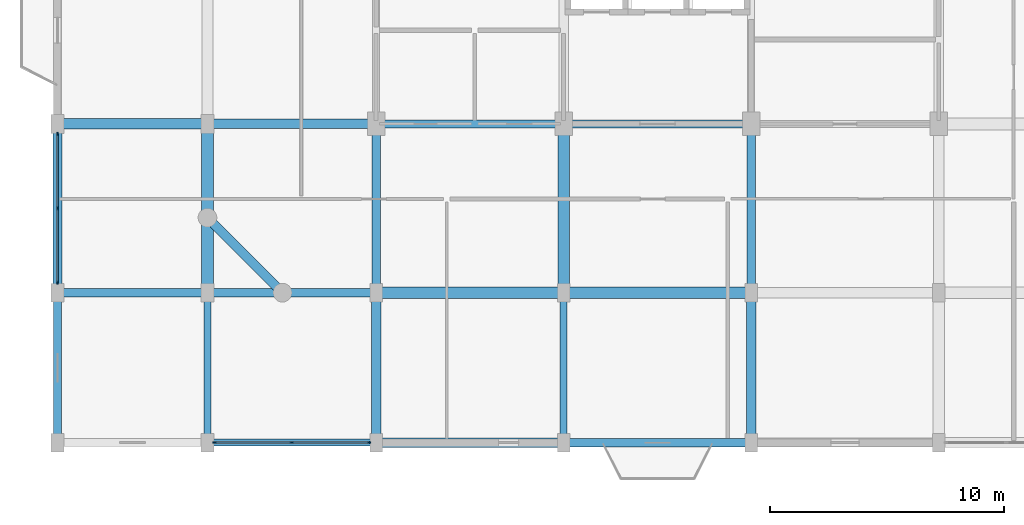
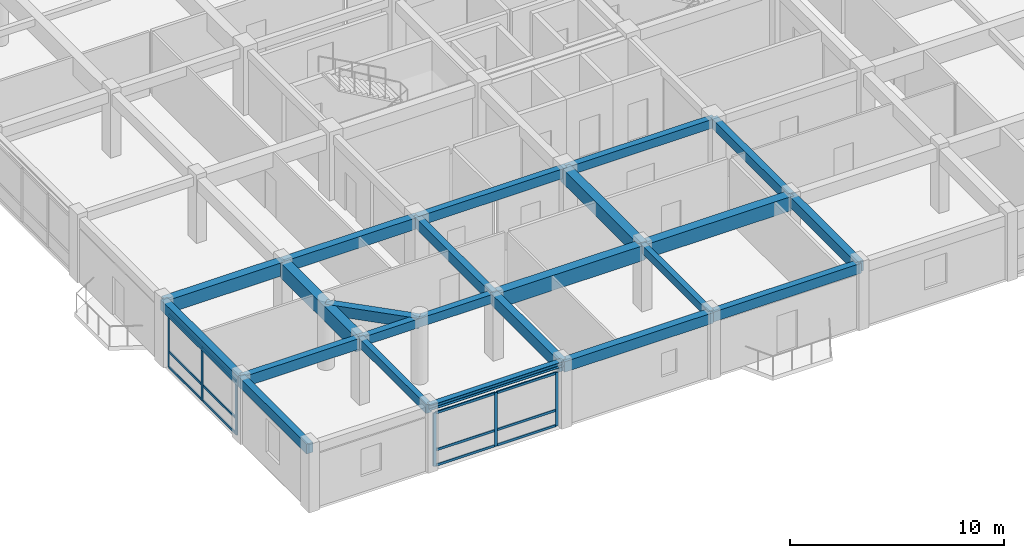
# One storey, part 2 of 15: 22 beams, 18 members, 2 elements without a shape of their own.
"""IFC4 building model written with IfcOpenShell, lengths in metres."""

from ifc_helpers import new_model, si_unit, direction, frame, origin, origin_2d, place, context, subcontext, project, spatial, rectangle, i_section, extrude, material, material_profile, profile_set, type_object, element, aggregate, save


model = new_model("IFC4")

# Units and contexts
model_context = context("Model", 3, precision=1e-05, world=origin(), true_north=direction((0.0, 1.0)))
body_context = subcontext(model_context, "Body", "Model", "MODEL_VIEW")
ifc_project = project(units=[si_unit("LENGTHUNIT", "METRE"), si_unit("AREAUNIT", "SQUARE_METRE"), si_unit("VOLUMEUNIT", "CUBIC_METRE"), si_unit("PLANEANGLEUNIT", "RADIAN"), si_unit("MASSUNIT", "GRAM", prefix="KILO")], contexts=[model_context])

# Site, building, storey
site_placement = place(None, origin())
site = spatial("IfcSite", under=ifc_project, at=site_placement, CompositionType="ELEMENT")
building_placement = place(site_placement, origin())
building = spatial("IfcBuilding", under=site, at=building_placement, Name="Vellmiral Cinema and Media Centre", CompositionType="ELEMENT")
storey_placement = place(building_placement, frame((0.0, 0.0, 31.699951171875)))
storey = spatial("IfcBuildingStorey", under=building, at=storey_placement, Name="L07", CompositionType="ELEMENT", Elevation=31.699951171875)

# Beams
ifc_material_1 = material(Name="Concrete C40/50", Category="concrete")
ifc_material_profile_1 = material_profile(ifc_material_1, rectangle(XDim=0.300048828125, YDim=0.449951171875, at=origin_2d()), Name="RC 300x450")
ifc_profile_set_1 = profile_set([ifc_material_profile_1], Name="Concrete C40/50")
beam_type_1 = type_object("IfcBeamType", Name="BM-RC-300x450", PredefinedType="BEAM", material=ifc_profile_set_1)
beam_1_placement = place(storey_placement, frame((132.0, 65.60009765625, 3.41015625), z_axis=(0.0, 1.0, 0.0), x_axis=(-1.0, 0.0, 0.0)))
element("IfcBeam", 1, at=beam_1_placement, inside=storey, type_object=beam_type_1, Name="Grid Beam L07-Y067", PredefinedType="BEAM", context=body_context, shape_type="SweptSolid", body=[
    extrude(rectangle(XDim=0.300048828125, YDim=0.449951171875, at=origin_2d()), origin(), (0.0, 0.0, 1.0), 6.39990234375),
])
ifc_material_2 = material(Name="Concrete C40/50", Category="concrete")
ifc_material_profile_2 = material_profile(ifc_material_2, rectangle(XDim=0.300048828125, YDim=0.5, at=origin_2d()), Name="RC 300x500")
ifc_profile_set_2 = profile_set([ifc_material_profile_2], Name="Concrete C40/50")
beam_type_2 = type_object("IfcBeamType", Name="BM-RC-300x500", PredefinedType="BEAM", material=ifc_profile_set_2)
beam_2_placement = place(storey_placement, frame((116.800048828125, 65.60009765625, 3.385009765625), z_axis=(0.0, 1.0, 0.0), x_axis=(-1.0, 0.0, 0.0)))
element("IfcBeam", 2, at=beam_2_placement, inside=storey, type_object=beam_type_2, Name="Grid Beam L07-Y055", PredefinedType="BEAM", context=body_context, shape_type="SweptSolid", body=[
    extrude(rectangle(XDim=0.300048828125, YDim=0.5, at=origin_2d()), origin(), (0.0, 0.0, 1.0), 6.39990234375),
])
ifc_material_3 = material(Name="Concrete C40/50", Category="concrete")
ifc_material_profile_3 = material_profile(ifc_material_3, rectangle(XDim=0.35009765625, YDim=0.5, at=origin_2d()), Name="RC 350x500")
ifc_profile_set_3 = profile_set([ifc_material_profile_3], Name="Concrete C40/50")
beam_type_3 = type_object("IfcBeamType", Name="BM-RC-350x500", PredefinedType="BEAM", material=ifc_profile_set_3)
beam_3_placement = place(storey_placement, frame((116.800048828125, 72.0, 3.385009765625), z_axis=(1.0, 0.0, 0.0), x_axis=(0.0, 1.0, 0.0)))
element("IfcBeam", 3, at=beam_3_placement, inside=storey, type_object=beam_type_3, Name="Grid Beam L07-X009", PredefinedType="BEAM", context=body_context, shape_type="SweptSolid", body=[
    extrude(rectangle(XDim=0.35009765625, YDim=0.5, at=origin_2d()), origin(), (0.0, 0.0, 1.0), 7.199951171875),
])
beam_4_placement = place(storey_placement, frame((132.0, 79.199951171875, 3.385009765625), z_axis=(1.0, 0.0, 0.0), x_axis=(0.0, 1.0, 0.0)))
element("IfcBeam", 4, at=beam_4_placement, inside=storey, type_object=beam_type_3, Name="Grid Beam L07-X018", PredefinedType="BEAM", context=body_context, shape_type="SweptSolid", body=[
    extrude(rectangle(XDim=0.35009765625, YDim=0.5, at=origin_2d()), origin(), (0.0, 0.0, 1.0), 8.0),
])
ifc_material_4 = material(Name="Concrete C40/50", Category="concrete")
ifc_material_profile_4 = material_profile(ifc_material_4, rectangle(XDim=0.35009765625, YDim=0.550048828125, at=origin_2d()), Name="RC 350x550")
ifc_profile_set_4 = profile_set([ifc_material_profile_4], Name="Concrete C40/50")
beam_type_4 = type_object("IfcBeamType", Name="BM-RC-350x550", PredefinedType="BEAM", material=ifc_profile_set_4)
beam_5_placement = place(storey_placement, frame((124.0, 79.199951171875, 3.360107421875), z_axis=(1.0, 0.0, 0.0), x_axis=(0.0, 1.0, 0.0)))
element("IfcBeam", 5, at=beam_5_placement, inside=storey, type_object=beam_type_4, Name="Grid Beam L07-X017", PredefinedType="BEAM", context=body_context, shape_type="SweptSolid", body=[
    extrude(rectangle(XDim=0.35009765625, YDim=0.550048828125, at=origin_2d()), origin(), (0.0, 0.0, 1.0), 8.0),
])
beam_6_placement = place(storey_placement, frame((140.0, 72.0, 3.360107421875), z_axis=(0.0, 1.0, 0.0), x_axis=(-1.0, 0.0, 0.0)))
element("IfcBeam", 6, at=beam_6_placement, inside=storey, type_object=beam_type_4, Name="Grid Beam L07-Y074", PredefinedType="BEAM", context=body_context, shape_type="SweptSolid", body=[
    extrude(rectangle(XDim=0.35009765625, YDim=0.550048828125, at=origin_2d()), origin(), (0.0, 0.0, 1.0), 7.199951171875),
])
ifc_material_5 = material(Name="Concrete C40/50", Category="concrete")
ifc_material_profile_5 = material_profile(ifc_material_5, rectangle(XDim=0.35009765625, YDim=0.60009765625, at=origin_2d()), Name="RC 350x600")
ifc_profile_set_5 = profile_set([ifc_material_profile_5], Name="Concrete C40/50")
beam_type_5 = type_object("IfcBeamType", Name="BM-RC-350x600", PredefinedType="BEAM", material=ifc_profile_set_5)
beam_7_placement = place(storey_placement, frame((110.39990234375, 72.0, 3.3349609375), z_axis=(1.0, 0.0, 0.0), x_axis=(0.0, 1.0, 0.0)))
element("IfcBeam", 7, at=beam_7_placement, inside=storey, type_object=beam_type_5, Name="Grid Beam L07-X008", PredefinedType="BEAM", context=body_context, shape_type="SweptSolid", body=[
    extrude(rectangle(XDim=0.35009765625, YDim=0.60009765625, at=origin_2d()), origin(), (0.0, 0.0, 1.0), 6.400146484375),
])
beam_8_placement = place(storey_placement, frame((124.0, 72.0, 3.3349609375), z_axis=(0.0, 1.0, 0.0), x_axis=(-1.0, 0.0, 0.0)))
element("IfcBeam", 8, at=beam_8_placement, inside=storey, type_object=beam_type_5, Name="Grid Beam L07-Y062", PredefinedType="BEAM", context=body_context, shape_type="SweptSolid", body=[
    extrude(rectangle(XDim=0.35009765625, YDim=0.60009765625, at=origin_2d()), origin(), (0.0, 0.0, 1.0), 7.199951171875),
])
ifc_material_6 = material(Name="Concrete C40/50", Category="concrete")
ifc_material_profile_6 = material_profile(ifc_material_6, rectangle(XDim=0.39990234375, YDim=0.60009765625, at=origin_2d()), Name="RC 400x600")
ifc_profile_set_6 = profile_set([ifc_material_profile_6], Name="Concrete C40/50")
beam_type_6 = type_object("IfcBeamType", Name="BM-RC-400x600", PredefinedType="BEAM", material=ifc_profile_set_6)
beam_9_placement = place(storey_placement, frame((140.0, 65.60009765625, 3.3349609375), z_axis=(0.0, 1.0, 0.0), x_axis=(-1.0, 0.0, 0.0)))
element("IfcBeam", 9, at=beam_9_placement, inside=storey, type_object=beam_type_6, Name="Grid Beam L07-Y073", PredefinedType="BEAM", context=body_context, shape_type="SweptSolid", body=[
    extrude(rectangle(XDim=0.39990234375, YDim=0.60009765625, at=origin_2d()), origin(), (0.0, 0.0, 1.0), 6.39990234375),
])
ifc_material_7 = material(Name="Concrete C40/50", Category="concrete")
ifc_material_profile_7 = material_profile(ifc_material_7, rectangle(XDim=0.39990234375, YDim=0.64990234375, at=origin_2d()), Name="RC 400x650")
ifc_profile_set_7 = profile_set([ifc_material_profile_7], Name="Concrete C40/50")
beam_type_7 = type_object("IfcBeamType", Name="BM-RC-400x650", PredefinedType="BEAM", material=ifc_profile_set_7)
beam_10_placement = place(storey_placement, frame((116.800048828125, 79.199951171875, 3.31005859375), z_axis=(1.0, 0.0, 0.0), x_axis=(0.0, 1.0, 0.0)))
element("IfcBeam", 10, at=beam_10_placement, inside=storey, type_object=beam_type_7, Name="Grid Beam L07-X016", PredefinedType="BEAM", context=body_context, shape_type="SweptSolid", body=[
    extrude(rectangle(XDim=0.39990234375, YDim=0.64990234375, at=origin_2d()), origin(), (0.0, 0.0, 1.0), 7.199951171875),
])
beam_11_placement = place(storey_placement, frame((124.0, 65.60009765625, 3.31005859375), z_axis=(0.0, 1.0, 0.0), x_axis=(-1.0, 0.0, 0.0)))
element("IfcBeam", 11, at=beam_11_placement, inside=storey, type_object=beam_type_7, Name="Grid Beam L07-Y061", PredefinedType="BEAM", context=body_context, shape_type="SweptSolid", body=[
    extrude(rectangle(XDim=0.39990234375, YDim=0.64990234375, at=origin_2d()), origin(), (0.0, 0.0, 1.0), 6.39990234375),
])
ifc_material_8 = material(Name="Concrete C40/50", Category="concrete")
ifc_material_profile_8 = material_profile(ifc_material_8, rectangle(XDim=0.449951171875, YDim=0.75, at=origin_2d()), Name="RC 450x750")
ifc_profile_set_8 = profile_set([ifc_material_profile_8], Name="Concrete C40/50")
beam_type_8 = type_object("IfcBeamType", Name="BM-RC-450x750", PredefinedType="BEAM", material=ifc_profile_set_8)
beam_12_placement = place(storey_placement, frame((110.39990234375, 79.199951171875, 3.260009765625), z_axis=(1.0, 0.0, 0.0), x_axis=(0.0, 1.0, 0.0)))
element("IfcBeam", 12, at=beam_12_placement, inside=storey, type_object=beam_type_8, Name="Grid Beam L07-X015", PredefinedType="BEAM", context=body_context, shape_type="SweptSolid", body=[
    extrude(rectangle(XDim=0.449951171875, YDim=0.75, at=origin_2d()), origin(), (0.0, 0.0, 1.0), 6.400146484375),
])
ifc_material_9 = material(Name="Concrete C40/50", Category="concrete")
ifc_material_profile_9 = material_profile(ifc_material_9, rectangle(XDim=0.5, YDim=0.800048828125, at=origin_2d()), Name="RC 500x800")
ifc_profile_set_9 = profile_set([ifc_material_profile_9], Name="Concrete C40/50")
beam_type_9 = type_object("IfcBeamType", Name="BM-RC-500x800", PredefinedType="BEAM", material=ifc_profile_set_9)
beam_13_placement = place(storey_placement, frame((132.0, 72.0, 3.235107421875), z_axis=(1.0, 0.0, 0.0), x_axis=(0.0, 1.0, 0.0)))
element("IfcBeam", 13, at=beam_13_placement, inside=storey, type_object=beam_type_9, Name="Grid Beam L07-X011", PredefinedType="BEAM", context=body_context, shape_type="SweptSolid", body=[
    extrude(rectangle(XDim=0.5, YDim=0.800048828125, at=origin_2d()), origin(), (0.0, 0.0, 1.0), 8.0),
])
beam_14_placement = place(storey_placement, frame((132.0, 72.0, 3.235107421875), z_axis=(0.0, 1.0, 0.0), x_axis=(-1.0, 0.0, 0.0)))
element("IfcBeam", 14, at=beam_14_placement, inside=storey, type_object=beam_type_9, Name="Grid Beam L07-Y068", PredefinedType="BEAM", context=body_context, shape_type="SweptSolid", body=[
    extrude(rectangle(XDim=0.5, YDim=0.800048828125, at=origin_2d()), origin(), (0.0, 0.0, 1.0), 7.199951171875),
])
ifc_material_10 = material(Name="Concrete C40/50", Category="concrete")
ifc_material_profile_10 = material_profile(ifc_material_10, rectangle(XDim=0.5, YDim=0.85009765625, at=origin_2d()), Name="RC 500x850")
ifc_profile_set_10 = profile_set([ifc_material_profile_10], Name="Concrete C40/50")
beam_type_10 = type_object("IfcBeamType", Name="BM-RC-500x850", PredefinedType="BEAM", material=ifc_profile_set_10)
beam_15_placement = place(storey_placement, frame((124.0, 72.0, 3.2099609375), z_axis=(1.0, 0.0, 0.0), x_axis=(0.0, 1.0, 0.0)))
element("IfcBeam", 15, at=beam_15_placement, inside=storey, type_object=beam_type_10, Name="Grid Beam L07-X010", PredefinedType="BEAM", context=body_context, shape_type="SweptSolid", body=[
    extrude(rectangle(XDim=0.5, YDim=0.85009765625, at=origin_2d()), origin(), (0.0, 0.0, 1.0), 8.0),
])
beam_16_placement = place(storey_placement, frame((116.800048828125, 72.0, 3.2099609375), z_axis=(0.0, 1.0, 0.0), x_axis=(-1.0, 0.0, 0.0)))
element("IfcBeam", 16, at=beam_16_placement, inside=storey, type_object=beam_type_10, Name="Grid Beam L07-Y056", PredefinedType="BEAM", context=body_context, shape_type="SweptSolid", body=[
    extrude(rectangle(XDim=0.5, YDim=0.85009765625, at=origin_2d()), origin(), (0.0, 0.0, 1.0), 7.199951171875),
])

# Curtain wall, members
ifc_material_11 = material(Name="Thermally Broken Aluminium and Triple Glazing", Category="aluminium")
curtain_wall_type_1 = type_object("IfcCurtainWallType", Name="CW-TOWER-LOW-S", PredefinedType="USERDEFINED", material=ifc_material_11)
curtain_wall_1_placement = place(storey_placement, origin())
curtain_wall_1 = element("IfcCurtainWall", 17, at=curtain_wall_1_placement, inside=storey, type_object=curtain_wall_type_1, Name="Curtain Wall L07-B002", ObjectType="UNITISED CURTAIN WALL", PredefinedType="USERDEFINED")
ifc_material_12 = material(Name="Thermally Broken Anodised Aluminium", Category="aluminium")
ifc_material_profile_11 = material_profile(ifc_material_12, rectangle(XDim=0.06494140625, YDim=0.159912109375, at=origin_2d()), Name="MULL 65x160")
ifc_profile_set_11 = profile_set([ifc_material_profile_11], Name="Thermally Broken Anodised Aluminium")
member_type_1 = type_object("IfcMemberType", Name="CWM-65x160", PredefinedType="MULLION", material=ifc_profile_set_11)
member_1_placement = place(storey_placement, frame((117.107421875, 65.60009765625, 0.0), z_axis=(0.0, 0.0, 1.0), x_axis=(0.0, 1.0, 0.0)))
member_1 = element("IfcMember", 18, at=member_1_placement, type_object=member_type_1, Name="CW-06 mullion 1", PredefinedType="MULLION", context=body_context, shape_type="SweptSolid", body=[
    extrude(rectangle(XDim=0.06494140625, YDim=0.159912109375, at=origin_2d()), origin(), (0.0, 0.0, 1.0), 3.0400390625),
])
member_2_placement = place(storey_placement, frame((120.39990234375, 65.60009765625, 0.0), z_axis=(0.0, 0.0, 1.0), x_axis=(0.0, 1.0, 0.0)))
member_2 = element("IfcMember", 19, at=member_2_placement, type_object=member_type_1, Name="CW-06 mullion 2", PredefinedType="MULLION", context=body_context, shape_type="SweptSolid", body=[
    extrude(rectangle(XDim=0.06494140625, YDim=0.159912109375, at=origin_2d()), origin(), (0.0, 0.0, 1.0), 3.0400390625),
])
member_3_placement = place(storey_placement, frame((123.6923828125, 65.60009765625, 0.0), z_axis=(0.0, 0.0, 1.0), x_axis=(0.0, 1.0, 0.0)))
member_3 = element("IfcMember", 20, at=member_3_placement, type_object=member_type_1, Name="CW-06 mullion 3", PredefinedType="MULLION", context=body_context, shape_type="SweptSolid", body=[
    extrude(rectangle(XDim=0.06494140625, YDim=0.159912109375, at=origin_2d()), origin(), (0.0, 0.0, 1.0), 3.0400390625),
])

ifc_material_13 = material(Name="Thermally Broken Aluminium and Triple Glazing", Category="aluminium")
curtain_wall_type_2 = type_object("IfcCurtainWallType", Name="CW-TOWER-LOW-N", PredefinedType="USERDEFINED", material=ifc_material_13)
curtain_wall_2_placement = place(storey_placement, origin())
curtain_wall_2 = element("IfcCurtainWall", 21, at=curtain_wall_2_placement, inside=storey, type_object=curtain_wall_type_2, Name="Curtain Wall L07-B028", ObjectType="UNITISED CURTAIN WALL", PredefinedType="USERDEFINED")
member_4_placement = place(storey_placement, frame((110.39990234375, 78.767578125, 0.0), z_axis=(0.0, 0.0, 1.0), x_axis=(1.0, 0.0, 0.0)))
member_4 = element("IfcMember", 22, at=member_4_placement, type_object=member_type_1, Name="CW-05 mullion 1", PredefinedType="MULLION", context=body_context, shape_type="SweptSolid", body=[
    extrude(rectangle(XDim=0.06494140625, YDim=0.159912109375, at=origin_2d()), origin(), (0.0, 0.0, 1.0), 3.0400390625),
])
member_5_placement = place(storey_placement, frame((110.39990234375, 75.60009765625, 0.0), z_axis=(0.0, 0.0, 1.0), x_axis=(1.0, 0.0, 0.0)))
member_5 = element("IfcMember", 23, at=member_5_placement, type_object=member_type_1, Name="CW-05 mullion 2", PredefinedType="MULLION", context=body_context, shape_type="SweptSolid", body=[
    extrude(rectangle(XDim=0.06494140625, YDim=0.159912109375, at=origin_2d()), origin(), (0.0, 0.0, 1.0), 3.0400390625),
])
member_6_placement = place(storey_placement, frame((110.39990234375, 72.4326171875, 0.0), z_axis=(0.0, 0.0, 1.0), x_axis=(1.0, 0.0, 0.0)))
member_6 = element("IfcMember", 24, at=member_6_placement, type_object=member_type_1, Name="CW-05 mullion 3", PredefinedType="MULLION", context=body_context, shape_type="SweptSolid", body=[
    extrude(rectangle(XDim=0.06494140625, YDim=0.159912109375, at=origin_2d()), origin(), (0.0, 0.0, 1.0), 3.0400390625),
])

# Member
ifc_material_14 = material(Name="Thermally Broken Anodised Aluminium", Category="aluminium")
ifc_material_profile_12 = material_profile(ifc_material_14, rectangle(XDim=0.06494140625, YDim=0.135009765625, at=origin_2d()), Name="MULL 65x135")
ifc_profile_set_12 = profile_set([ifc_material_profile_12], Name="Thermally Broken Anodised Aluminium")
member_type_2 = type_object("IfcMemberType", Name="CWT-65x135", PredefinedType="USERDEFINED", material=ifc_profile_set_12)
member_7_placement = place(storey_placement, frame((117.139892578125, 65.60009765625, 0.032470703125), z_axis=(1.0, 0.0, 0.0), x_axis=(0.0, 1.0, 0.0)))
member_7 = element("IfcMember", 25, at=member_7_placement, type_object=member_type_2, Name="CW-06 transom 1.1", ObjectType="TRANSOM", PredefinedType="USERDEFINED", context=body_context, shape_type="SweptSolid", body=[
    extrude(rectangle(XDim=0.06494140625, YDim=0.135009765625, at=origin_2d()), origin(), (0.0, 0.0, 1.0), 3.2275390625),
])

member_8_placement = place(storey_placement, frame((117.139892578125, 65.60009765625, 0.900146484375), z_axis=(1.0, 0.0, 0.0), x_axis=(0.0, 1.0, 0.0)))
member_8 = element("IfcMember", 26, at=member_8_placement, type_object=member_type_2, Name="CW-06 transom 1.2", ObjectType="TRANSOM", PredefinedType="USERDEFINED", context=body_context, shape_type="SweptSolid", body=[
    extrude(rectangle(XDim=0.06494140625, YDim=0.135009765625, at=origin_2d()), origin(), (0.0, 0.0, 1.0), 3.2275390625),
])

member_9_placement = place(storey_placement, frame((117.139892578125, 65.60009765625, 3.007568359375), z_axis=(1.0, 0.0, 0.0), x_axis=(0.0, 1.0, 0.0)))
member_9 = element("IfcMember", 27, at=member_9_placement, type_object=member_type_2, Name="CW-06 transom 1.3", ObjectType="TRANSOM", PredefinedType="USERDEFINED", context=body_context, shape_type="SweptSolid", body=[
    extrude(rectangle(XDim=0.06494140625, YDim=0.135009765625, at=origin_2d()), origin(), (0.0, 0.0, 1.0), 3.2275390625),
])

member_10_placement = place(storey_placement, frame((120.4326171875, 65.60009765625, 0.032470703125), z_axis=(1.0, 0.0, 0.0), x_axis=(0.0, 1.0, 0.0)))
member_10 = element("IfcMember", 28, at=member_10_placement, type_object=member_type_2, Name="CW-06 transom 2.1", ObjectType="TRANSOM", PredefinedType="USERDEFINED", context=body_context, shape_type="SweptSolid", body=[
    extrude(rectangle(XDim=0.06494140625, YDim=0.135009765625, at=origin_2d()), origin(), (0.0, 0.0, 1.0), 3.227294921875),
])

member_11_placement = place(storey_placement, frame((120.4326171875, 65.60009765625, 0.900146484375), z_axis=(1.0, 0.0, 0.0), x_axis=(0.0, 1.0, 0.0)))
member_11 = element("IfcMember", 29, at=member_11_placement, type_object=member_type_2, Name="CW-06 transom 2.2", ObjectType="TRANSOM", PredefinedType="USERDEFINED", context=body_context, shape_type="SweptSolid", body=[
    extrude(rectangle(XDim=0.06494140625, YDim=0.135009765625, at=origin_2d()), origin(), (0.0, 0.0, 1.0), 3.227294921875),
])

member_12_placement = place(storey_placement, frame((120.4326171875, 65.60009765625, 3.007568359375), z_axis=(1.0, 0.0, 0.0), x_axis=(0.0, 1.0, 0.0)))
member_12 = element("IfcMember", 30, at=member_12_placement, type_object=member_type_2, Name="CW-06 transom 2.3", ObjectType="TRANSOM", PredefinedType="USERDEFINED", context=body_context, shape_type="SweptSolid", body=[
    extrude(rectangle(XDim=0.06494140625, YDim=0.135009765625, at=origin_2d()), origin(), (0.0, 0.0, 1.0), 3.227294921875),
])

aggregate(curtain_wall_1, [member_1, member_2, member_3, member_7, member_8, member_9, member_10, member_11, member_12])

member_13_placement = place(storey_placement, frame((110.39990234375, 78.735107421875, 0.032470703125), z_axis=(0.0, -1.0, 0.0), x_axis=(1.0, 0.0, 0.0)))
member_13 = element("IfcMember", 31, at=member_13_placement, type_object=member_type_2, Name="CW-05 transom 1.1", ObjectType="TRANSOM", PredefinedType="USERDEFINED", context=body_context, shape_type="SweptSolid", body=[
    extrude(rectangle(XDim=0.06494140625, YDim=0.135009765625, at=origin_2d()), origin(), (0.0, 0.0, 1.0), 3.1025390625),
])

member_14_placement = place(storey_placement, frame((110.39990234375, 78.735107421875, 0.900146484375), z_axis=(0.0, -1.0, 0.0), x_axis=(1.0, 0.0, 0.0)))
member_14 = element("IfcMember", 32, at=member_14_placement, type_object=member_type_2, Name="CW-05 transom 1.2", ObjectType="TRANSOM", PredefinedType="USERDEFINED", context=body_context, shape_type="SweptSolid", body=[
    extrude(rectangle(XDim=0.06494140625, YDim=0.135009765625, at=origin_2d()), origin(), (0.0, 0.0, 1.0), 3.1025390625),
])

member_15_placement = place(storey_placement, frame((110.39990234375, 78.735107421875, 3.007568359375), z_axis=(0.0, -1.0, 0.0), x_axis=(1.0, 0.0, 0.0)))
member_15 = element("IfcMember", 33, at=member_15_placement, type_object=member_type_2, Name="CW-05 transom 1.3", ObjectType="TRANSOM", PredefinedType="USERDEFINED", context=body_context, shape_type="SweptSolid", body=[
    extrude(rectangle(XDim=0.06494140625, YDim=0.135009765625, at=origin_2d()), origin(), (0.0, 0.0, 1.0), 3.1025390625),
])

member_16_placement = place(storey_placement, frame((110.39990234375, 75.5673828125, 0.032470703125), z_axis=(0.0, -1.0, 0.0), x_axis=(1.0, 0.0, 0.0)))
member_16 = element("IfcMember", 34, at=member_16_placement, type_object=member_type_2, Name="CW-05 transom 2.1", ObjectType="TRANSOM", PredefinedType="USERDEFINED", context=body_context, shape_type="SweptSolid", body=[
    extrude(rectangle(XDim=0.06494140625, YDim=0.135009765625, at=origin_2d()), origin(), (0.0, 0.0, 1.0), 3.102294921875),
])

member_17_placement = place(storey_placement, frame((110.39990234375, 75.5673828125, 0.900146484375), z_axis=(0.0, -1.0, 0.0), x_axis=(1.0, 0.0, 0.0)))
member_17 = element("IfcMember", 35, at=member_17_placement, type_object=member_type_2, Name="CW-05 transom 2.2", ObjectType="TRANSOM", PredefinedType="USERDEFINED", context=body_context, shape_type="SweptSolid", body=[
    extrude(rectangle(XDim=0.06494140625, YDim=0.135009765625, at=origin_2d()), origin(), (0.0, 0.0, 1.0), 3.102294921875),
])

member_18_placement = place(storey_placement, frame((110.39990234375, 75.5673828125, 3.007568359375), z_axis=(0.0, -1.0, 0.0), x_axis=(1.0, 0.0, 0.0)))
member_18 = element("IfcMember", 36, at=member_18_placement, type_object=member_type_2, Name="CW-05 transom 2.3", ObjectType="TRANSOM", PredefinedType="USERDEFINED", context=body_context, shape_type="SweptSolid", body=[
    extrude(rectangle(XDim=0.06494140625, YDim=0.135009765625, at=origin_2d()), origin(), (0.0, 0.0, 1.0), 3.102294921875),
])

aggregate(curtain_wall_2, [member_4, member_5, member_6, member_13, member_14, member_15, member_16, member_17, member_18])

# Beams
ifc_material_15 = material(Name="Steel S355", Category="steel")
ifc_material_profile_13 = material_profile(ifc_material_15, i_section(OverallWidth=0.300048828125, OverallDepth=0.300048828125, WebThickness=0.010986328125, FlangeThickness=0.01904296875, FilletRadius=0.027099609375, at=origin_2d()), Name="HEB 300")
ifc_profile_set_13 = profile_set([ifc_material_profile_13], Name="Steel S355")
beam_type_11 = type_object("IfcBeamType", Name="SBM-HEB300", PredefinedType="SPANDREL", material=ifc_profile_set_13)
beam_17_placement = place(storey_placement, frame((116.800048828125, 65.60009765625, 3.485107421875), z_axis=(1.0, 0.0, 0.0), x_axis=(0.0, 1.0, 0.0)))
element("IfcBeam", 37, at=beam_17_placement, inside=storey, type_object=beam_type_11, Name="Grid Beam L07-X002", PredefinedType="SPANDREL", context=body_context, shape_type="SweptSolid", body=[
    extrude(i_section(OverallWidth=0.300048828125, OverallDepth=0.300048828125, WebThickness=0.010986328125, FlangeThickness=0.01904296875, FilletRadius=0.027099609375, at=origin_2d()), origin(), (0.0, 0.0, 1.0), 7.199951171875),
])
ifc_material_16 = material(Name="Concrete C40/50", Category="concrete")
ifc_material_profile_14 = material_profile(ifc_material_16, rectangle(XDim=0.35009765625, YDim=0.56005859375, at=origin_2d()), Name="RC 350x560")
ifc_profile_set_14 = profile_set([ifc_material_profile_14], Name="Concrete C40/50")
beam_type_12 = type_object("IfcBeamType", Name="SPD-RC-350x560", PredefinedType="SPANDREL", material=ifc_profile_set_14)
beam_18_placement = place(storey_placement, frame((132.0, 65.60009765625, 3.35498046875), z_axis=(1.0, 0.0, 0.0), x_axis=(0.0, 1.0, 0.0)))
element("IfcBeam", 38, at=beam_18_placement, inside=storey, type_object=beam_type_12, Name="Grid Beam L07-X004", PredefinedType="SPANDREL", context=body_context, shape_type="SweptSolid", body=[
    extrude(rectangle(XDim=0.35009765625, YDim=0.56005859375, at=origin_2d()), origin(), (0.0, 0.0, 1.0), 8.0),
])
beam_19_placement = place(storey_placement, frame((110.39990234375, 65.60009765625, 3.35498046875), z_axis=(0.0, 1.0, 0.0), x_axis=(-1.0, 0.0, 0.0)))
element("IfcBeam", 39, at=beam_19_placement, inside=storey, type_object=beam_type_12, Name="Grid Beam L07-Y049", PredefinedType="SPANDREL", context=body_context, shape_type="SweptSolid", body=[
    extrude(rectangle(XDim=0.35009765625, YDim=0.56005859375, at=origin_2d()), origin(), (0.0, 0.0, 1.0), 6.39990234375),
])
ifc_material_17 = material(Name="Concrete C40/50", Category="concrete")
ifc_material_profile_15 = material_profile(ifc_material_17, rectangle(XDim=0.39990234375, YDim=0.60009765625, at=origin_2d()), Name="RC 400x600")
ifc_profile_set_15 = profile_set([ifc_material_profile_15], Name="Concrete C40/50")
beam_type_13 = type_object("IfcBeamType", Name="SPD-RC-400x600", PredefinedType="SPANDREL", material=ifc_profile_set_15)
beam_20_placement = place(storey_placement, frame((124.0, 65.60009765625, 3.3349609375), z_axis=(1.0, 0.0, 0.0), x_axis=(0.0, 1.0, 0.0)))
element("IfcBeam", 40, at=beam_20_placement, inside=storey, type_object=beam_type_13, Name="Grid Beam L07-X003", PredefinedType="SPANDREL", context=body_context, shape_type="SweptSolid", body=[
    extrude(rectangle(XDim=0.39990234375, YDim=0.60009765625, at=origin_2d()), origin(), (0.0, 0.0, 1.0), 8.0),
])
beam_21_placement = place(storey_placement, frame((116.800048828125, 75.199951171875, 3.3349609375), z_axis=(0.707106781187, -0.707106781187, 0.0), x_axis=(0.707106781187, 0.707106781187, 0.0)))
element("IfcBeam", 41, at=beam_21_placement, inside=storey, type_object=beam_type_13, Name="Xamfra Chamfer Spandrel Beam L07-096", PredefinedType="SPANDREL", context=body_context, shape_type="SweptSolid", body=[
    extrude(rectangle(XDim=0.39990234375, YDim=0.60009765625, at=origin_2d()), origin(), (0.0, 0.0, 1.0), 4.525390625),
])
ifc_material_18 = material(Name="Vosges Red Sandstone Masonry", Category="masonry")
ifc_material_profile_16 = material_profile(ifc_material_18, rectangle(XDim=0.3798828125, YDim=0.580078125, at=origin_2d()), Name="SAND 380x580")
ifc_profile_set_16 = profile_set([ifc_material_profile_16], Name="Vosges Red Sandstone Masonry")
beam_type_14 = type_object("IfcBeamType", Name="SPD-SAND-380x580", PredefinedType="SPANDREL", material=ifc_profile_set_16)
beam_22_placement = place(storey_placement, frame((110.39990234375, 72.0, 3.344970703125), z_axis=(0.0, 1.0, 0.0), x_axis=(-1.0, 0.0, 0.0)))
element("IfcBeam", 42, at=beam_22_placement, inside=storey, type_object=beam_type_14, Name="Grid Beam L07-Y050", PredefinedType="SPANDREL", context=body_context, shape_type="SweptSolid", body=[
    extrude(rectangle(XDim=0.3798828125, YDim=0.580078125, at=origin_2d()), origin(), (0.0, 0.0, 1.0), 7.199951171875),
])

save(model, "model.ifc")
